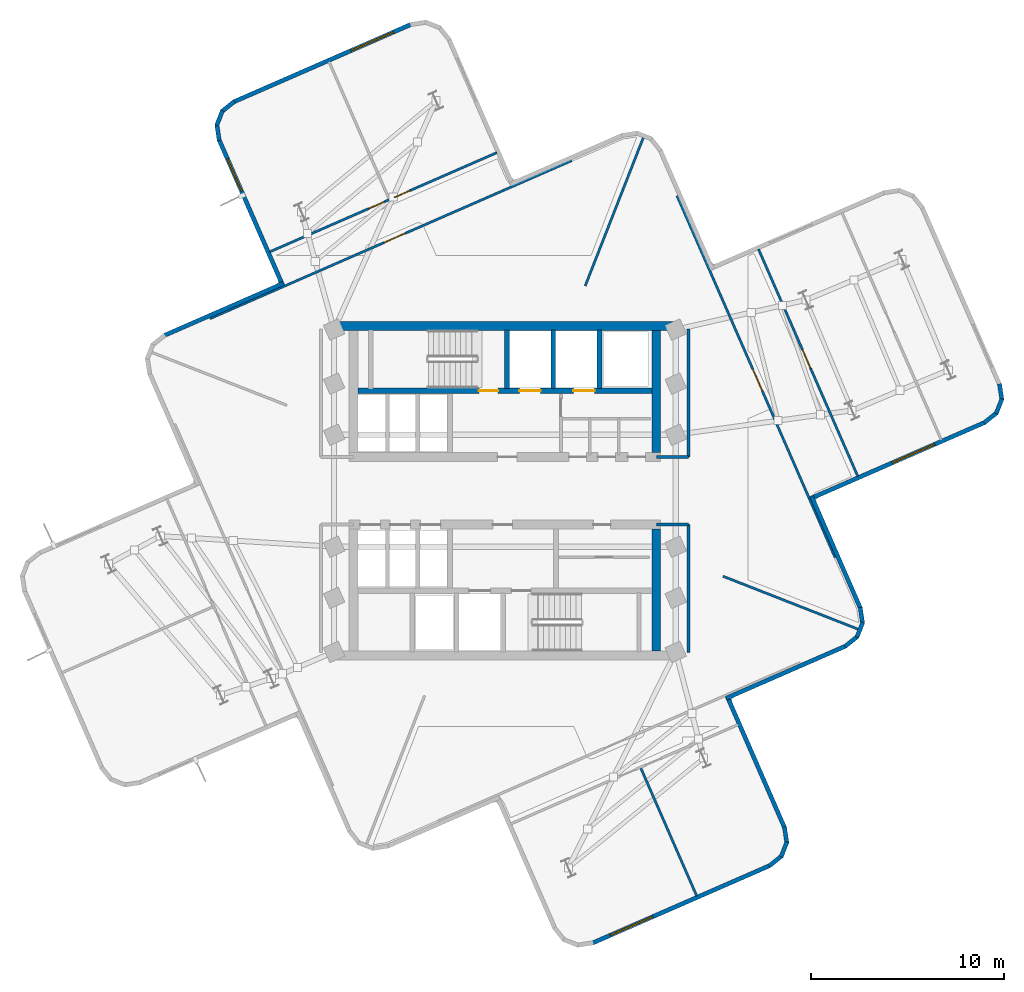
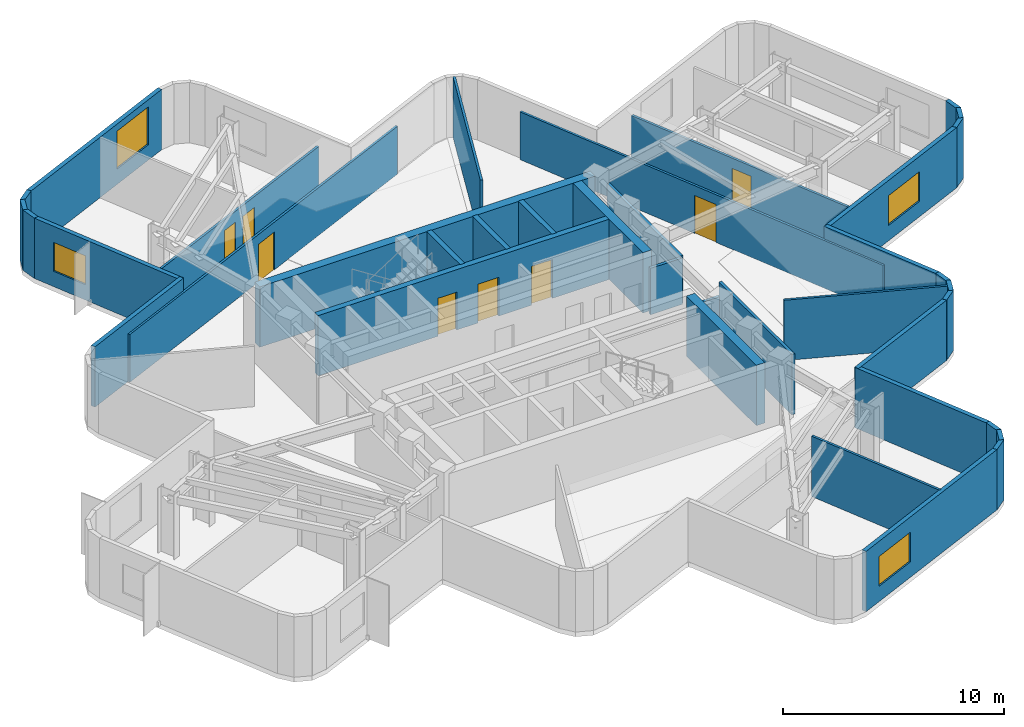
# One storey, part 4 of 8: 38 walls, 8 doors, 4 windows, 12 openings.
"""IFC4 building model written with IfcOpenShell, lengths in metres."""

from ifc_helpers import new_model, si_unit, direction, frame, frame_2d, origin, place, context, subcontext, project, spatial, rectangle, extrude, material, layer, layer_set, type_object, element, fill, save


model = new_model("IFC4")

# Units and contexts
model_context = context("Model", 3, precision=1e-05, world=origin(), true_north=direction((0.0, 1.0)))
body_context = subcontext(model_context, "Body", "Model", "MODEL_VIEW")
ifc_project = project(units=[si_unit("LENGTHUNIT", "METRE"), si_unit("AREAUNIT", "SQUARE_METRE"), si_unit("VOLUMEUNIT", "CUBIC_METRE"), si_unit("PLANEANGLEUNIT", "RADIAN"), si_unit("MASSUNIT", "GRAM", prefix="KILO")], contexts=[model_context])

# Site, building, storey
site_placement = place(None, origin())
site = spatial("IfcSite", under=ifc_project, at=site_placement, CompositionType="ELEMENT")
building_placement = place(site_placement, origin())
building = spatial("IfcBuilding", under=site, at=building_placement, Name="Solmarez Civic Tower", CompositionType="ELEMENT")
storey_placement = place(building_placement, frame((0.0, 0.0, 181.080078125)))
storey = spatial("IfcBuildingStorey", under=building, at=storey_placement, Name="L48", CompositionType="ELEMENT", Elevation=181.080078125)

# Walls
ifc_material_1 = material(Name="Concrete C50/60", Category="concrete")
ifc_layer_1 = layer(ifc_material_1, 0.449951171875)
ifc_layer_set_1 = layer_set([ifc_layer_1], Name="Concrete C50/60")
wall_type_1 = type_object("IfcWallType", Name="WALL-CORE-450", PredefinedType="SHEAR", material=ifc_layer_set_1)
wall_1_placement = place(storey_placement, frame((-8.780029296875, 8.534912109375, 0.0), z_axis=(0.0, 0.0, 1.0), x_axis=(1.0, 0.0, 0.0)))
element("IfcWall", 1, at=wall_1_placement, inside=storey, type_object=wall_type_1, Name="L48 Split-Core Structural Wall NCW-N-L48", PredefinedType="SHEAR", context=body_context, shape_type="SweptSolid", body=[
    extrude(rectangle(XDim=17.56005859375, YDim=0.449951171875, at=frame_2d((8.780029296875, 0.0))), origin(), (0.0, 0.0, 1.0), 3.33984375),
])
for number, where, z_axis, x_axis, name in (
    (2, (7.844970703125, 8.31005859375, 0.0), (0.0, 0.0, 1.0), (0.0, -1.0, 0.0), "L48 Split-Core Structural Wall NCW-E-L48"),
    (3, (7.844970703125, -1.97509765625, 0.0), (0.0, 0.0, 1.0), (0.0, -1.0, 0.0), "L48 Split-Core Structural Wall SCW-E-L48"),
):
    element("IfcWall", number, at=place(storey_placement, frame(where, z_axis=z_axis, x_axis=x_axis)), inside=storey, type_object=wall_type_1, Name=name, PredefinedType="SHEAR", context=body_context, shape_type="SweptSolid", body=[
        extrude(rectangle(XDim=6.3349609375, YDim=0.449951171875, at=frame_2d((3.16748046875, 0.0))), origin(), (0.0, 0.0, 1.0), 3.33984375),
    ])
ifc_material_2 = material(Name="Precast concrete C40/50", Category="concrete")
ifc_layer_2 = layer(ifc_material_2, 0.219970703125)
ifc_layer_set_2 = layer_set([ifc_layer_2], Name="Precast concrete C40/50")
wall_type_2 = type_object("IfcWallType", Name="WALL-EXT-220", PredefinedType="SOLIDWALL", material=ifc_layer_set_2)
wall_2_placement = place(storey_placement, frame((-17.657958984375, 8.0439453125, 0.0), z_axis=(0.0, 0.0, 1.0), x_axis=(0.916361145567, 0.400352658158, 0.0)))
element("IfcWall", 4, at=wall_2_placement, inside=storey, type_object=wall_type_2, Name="L48 Exterior Precast Wall 17", PredefinedType="SOLIDWALL", context=body_context, shape_type="SweptSolid", body=[
    extrude(rectangle(XDim=6.75927734375, YDim=0.219970703125, at=frame_2d((3.379638671875, 0.0))), origin(), (0.0, 0.0, 1.0), 3.33984375),
])

# Wall, opening, window
wall_3_placement = place(storey_placement, frame((-11.510009765625, 10.634033203125, 0.0), z_axis=(0.0, 0.0, 1.0), x_axis=(-0.400350381948, 0.916362140027, 0.0)))
wall_3 = element("IfcWall", 5, at=wall_3_placement, inside=storey, type_object=wall_type_2, Name="L48 Exterior Precast Wall 20", PredefinedType="SOLIDWALL", context=body_context, shape_type="SweptSolid", body=[
    extrude(rectangle(XDim=8.257568359375, YDim=0.219970703125, at=frame_2d((4.12890625, 0.0))), origin(), (0.0, 0.0, 1.0), 3.33984375),
])
opening_1_placement = place(wall_3_placement, frame((5.35791015625, 0.0, 0.85009765625)))
opening_1 = element("IfcOpeningElement", 6, at=opening_1_placement, cuts=wall_3, Name="Opening W-12", PredefinedType="OPENING", context=body_context, shape_type="SweptSolid", body=[
    extrude(rectangle(XDim=1.800048828125, YDim=1.60009765625, at=frame_2d((0.89990234375, 0.800048828125))), frame((0.0, 0.119873046875, 0.0), z_axis=(0.0, -1.0, 0.0), x_axis=(1.0, 0.0, 0.0)), (0.0, 0.0, 1.0), 0.239990234375),
])
ifc_material_3 = material(Name="Solar Control Bronze-Tinted Insulating Glass", Category="glass")
window_type_1 = type_object("IfcWindowType", Name="WIN-1800X1600", PartitioningType="SINGLE_PANEL", PredefinedType="WINDOW", material=ifc_material_3)
window_1_placement = place(opening_1_placement, origin())
window_1 = element("IfcWindow", 7, at=window_1_placement, inside=storey, type_object=window_type_1, Name="L48 Exterior Facade Window 20", OverallHeight=1.60009765625, OverallWidth=1.800048828125, PartitioningType="SINGLE_PANEL", PredefinedType="WINDOW", context=body_context, shape_type="SweptSolid", body=[
    extrude(rectangle(XDim=1.800048828125, YDim=1.60009765625, at=frame_2d((0.89990234375, 0.800048828125))), frame((0.0, 0.030029296875, 0.0), z_axis=(0.0, -1.0, 0.0), x_axis=(1.0, 0.0, 0.0)), (0.0, 0.0, 1.0), 0.06005859375),
])
fill(opening_1, window_1)

# Walls
wall_4_placement = place(storey_placement, frame((-14.802001953125, 18.153076171875, 0.0), z_axis=(0.0, 0.0, 1.0), x_axis=(-0.149640878591, 0.988740414596, 0.0)))
element("IfcWall", 8, at=wall_4_placement, inside=storey, type_object=wall_type_2, Name="L48 Exterior Precast Wall 21", PredefinedType="SOLIDWALL", context=body_context, shape_type="SweptSolid", body=[
    extrude(rectangle(XDim=0.83544921875, YDim=0.219970703125, at=frame_2d((0.417724609375, 0.0))), origin(), (0.0, 0.0, 1.0), 3.33984375),
])
wall_5_placement = place(storey_placement, frame((-14.931884765625, 18.930908203125, 0.0), z_axis=(0.0, 0.0, 1.0), x_axis=(0.36397185601, 0.931409946282, 0.0)))
element("IfcWall", 9, at=wall_5_placement, inside=storey, type_object=wall_type_2, Name="L48 Exterior Precast Wall 22", PredefinedType="SOLIDWALL", context=body_context, shape_type="SweptSolid", body=[
    extrude(rectangle(XDim=0.818359375, YDim=0.219970703125, at=frame_2d((0.4091796875, 0.0))), origin(), (0.0, 0.0, 1.0), 3.33984375),
])
wall_6_placement = place(storey_placement, frame((-14.6630859375, 19.654052734375, 0.0), z_axis=(0.0, 0.0, 1.0), x_axis=(0.781723393747, 0.623625316731, 0.0)))
element("IfcWall", 10, at=wall_6_placement, inside=storey, type_object=wall_type_2, Name="L48 Exterior Precast Wall 23", PredefinedType="SOLIDWALL", context=body_context, shape_type="SweptSolid", body=[
    extrude(rectangle(XDim=0.83544921875, YDim=0.219970703125, at=frame_2d((0.417724609375, 0.0))), origin(), (0.0, 0.0, 1.0), 3.33984375),
])

# Wall, opening, window
wall_7_placement = place(storey_placement, frame((-14.052978515625, 20.14892578125, 0.0), z_axis=(0.0, 0.0, 1.0), x_axis=(0.916369802617, 0.400332842585, 0.0)))
wall_7 = element("IfcWall", 11, at=wall_7_placement, inside=storey, type_object=wall_type_2, Name="L48 Exterior Precast Wall 24", PredefinedType="SOLIDWALL", context=body_context, shape_type="SweptSolid", body=[
    extrude(rectangle(XDim=10.041748046875, YDim=0.219970703125, at=frame_2d((5.02099609375, 0.0))), origin(), (0.0, 0.0, 1.0), 3.33984375),
])
opening_2_placement = place(wall_7_placement, frame((6.633056640625, 0.0, 0.85009765625)))
opening_2 = element("IfcOpeningElement", 12, at=opening_2_placement, cuts=wall_7, Name="Opening W-02", PredefinedType="OPENING", context=body_context, shape_type="SweptSolid", body=[
    extrude(rectangle(XDim=2.39990234375, YDim=2.10009765625, at=frame_2d((1.199951171875, 1.050048828125))), frame((0.0, 0.119873046875, 0.0), z_axis=(0.0, -1.0, 0.0), x_axis=(1.0, 0.0, 0.0)), (0.0, 0.0, 1.0), 0.239990234375),
])
window_type_2 = type_object("IfcWindowType", Name="WIN-2400X2100", PartitioningType="SINGLE_PANEL", PredefinedType="WINDOW", material=ifc_material_3)
window_2_placement = place(opening_2_placement, origin())
window_2 = element("IfcWindow", 13, at=window_2_placement, inside=storey, type_object=window_type_2, Name="L48 Exterior Facade Window 24", OverallHeight=2.10009765625, OverallWidth=2.39990234375, PartitioningType="SINGLE_PANEL", PredefinedType="WINDOW", context=body_context, shape_type="SweptSolid", body=[
    extrude(rectangle(XDim=2.39990234375, YDim=2.10009765625, at=frame_2d((1.199951171875, 1.050048828125))), frame((0.0, 0.030029296875, 0.0), z_axis=(0.0, -1.0, 0.0), x_axis=(1.0, 0.0, 0.0)), (0.0, 0.0, 1.0), 0.06005859375),
])
fill(opening_2, window_2)

# Walls
wall_8_placement = place(storey_placement, frame((25.62109375, 5.5400390625, 0.0), z_axis=(0.0, 0.0, 1.0), x_axis=(0.150783469095, -0.988566813851, 0.0)))
element("IfcWall", 14, at=wall_8_placement, inside=storey, type_object=wall_type_2, Name="L48 Exterior Precast Wall 43", PredefinedType="SOLIDWALL", context=body_context, shape_type="SweptSolid", body=[
    extrude(rectangle(XDim=0.83544921875, YDim=0.219970703125, at=frame_2d((0.417724609375, 0.0))), origin(), (0.0, 0.0, 1.0), 3.33984375),
])
wall_9_placement = place(storey_placement, frame((25.751953125, 4.761962890625, 0.0), z_axis=(0.0, 0.0, 1.0), x_axis=(-0.365366290938, -0.93086383185, 0.0)))
element("IfcWall", 15, at=wall_9_placement, inside=storey, type_object=wall_type_2, Name="L48 Exterior Precast Wall 44", PredefinedType="SOLIDWALL", context=body_context, shape_type="SweptSolid", body=[
    extrude(rectangle(XDim=0.818603515625, YDim=0.219970703125, at=frame_2d((0.4091796875, 0.0))), origin(), (0.0, 0.0, 1.0), 3.33984375),
])
wall_10_placement = place(storey_placement, frame((25.48193359375, 4.0390625, 0.0), z_axis=(0.0, 0.0, 1.0), x_axis=(-0.781609702867, -0.62376780326, 0.0)))
element("IfcWall", 16, at=wall_10_placement, inside=storey, type_object=wall_type_2, Name="L48 Exterior Precast Wall 45", PredefinedType="SOLIDWALL", context=body_context, shape_type="SweptSolid", body=[
    extrude(rectangle(XDim=0.835205078125, YDim=0.219970703125, at=frame_2d((0.41748046875, 0.0))), origin(), (0.0, 0.0, 1.0), 3.33984375),
])

# Wall, opening, window
wall_11_placement = place(storey_placement, frame((24.8720703125, 3.5439453125, 0.0), z_axis=(0.0, 0.0, 1.0), x_axis=(-0.916375425493, -0.400319971464, 0.0)))
wall_11 = element("IfcWall", 17, at=wall_11_placement, inside=storey, type_object=wall_type_2, Name="L48 Exterior Precast Wall 46", PredefinedType="SOLIDWALL", context=body_context, shape_type="SweptSolid", body=[
    extrude(rectangle(XDim=9.859619140625, YDim=0.219970703125, at=frame_2d((4.9296875, 0.0))), origin(), (0.0, 0.0, 1.0), 3.33984375),
])
opening_3_placement = place(wall_11_placement, frame((2.85009765625, 0.0, 0.85009765625)))
opening_3 = element("IfcOpeningElement", 18, at=opening_3_placement, cuts=wall_11, Name="Opening W-10", PredefinedType="OPENING", context=body_context, shape_type="SweptSolid", body=[
    extrude(rectangle(XDim=2.39990234375, YDim=1.64990234375, at=frame_2d((1.199951171875, 0.824951171875))), frame((0.0, 0.119873046875, 0.0), z_axis=(0.0, -1.0, 0.0), x_axis=(1.0, 0.0, 0.0)), (0.0, 0.0, 1.0), 0.239990234375),
])
window_type_3 = type_object("IfcWindowType", Name="WIN-2400X1650", PartitioningType="SINGLE_PANEL", PredefinedType="WINDOW", material=ifc_material_3)
window_3_placement = place(opening_3_placement, origin())
window_3 = element("IfcWindow", 19, at=window_3_placement, inside=storey, type_object=window_type_3, Name="L48 Exterior Facade Window 46", OverallHeight=1.64990234375, OverallWidth=2.39990234375, PartitioningType="SINGLE_PANEL", PredefinedType="WINDOW", context=body_context, shape_type="SweptSolid", body=[
    extrude(rectangle(XDim=2.39990234375, YDim=1.64990234375, at=frame_2d((1.199951171875, 0.824951171875))), frame((0.0, 0.030029296875, 0.0), z_axis=(0.0, -1.0, 0.0), x_axis=(1.0, 0.0, 0.0)), (0.0, 0.0, 1.0), 0.06005859375),
])
fill(opening_3, window_3)

# Walls
wall_12_placement = place(storey_placement, frame((15.883056640625, -0.287109375, 0.0), z_axis=(0.0, 0.0, 1.0), x_axis=(0.400352069216, -0.916361402872, 0.0)))
element("IfcWall", 20, at=wall_12_placement, inside=storey, type_object=wall_type_2, Name="L48 Exterior Precast Wall 49", PredefinedType="SOLIDWALL", context=body_context, shape_type="SweptSolid", body=[
    extrude(rectangle(XDim=6.339111328125, YDim=0.219970703125, at=frame_2d((3.16943359375, 0.0))), origin(), (0.0, 0.0, 1.0), 3.33984375),
])
wall_13_placement = place(storey_placement, frame((18.406982421875, -6.048095703125, 0.0), z_axis=(0.0, 0.0, 1.0), x_axis=(0.149814047271, -0.988714190876, 0.0)))
element("IfcWall", 21, at=wall_13_placement, inside=storey, type_object=wall_type_2, Name="L48 Exterior Precast Wall 50", PredefinedType="SOLIDWALL", context=body_context, shape_type="SweptSolid", body=[
    extrude(rectangle(XDim=0.83447265625, YDim=0.219970703125, at=frame_2d((0.417236328125, 0.0))), origin(), (0.0, 0.0, 1.0), 3.33984375),
])
wall_14_placement = place(storey_placement, frame((18.537109375, -6.824951171875, 0.0), z_axis=(0.0, 0.0, 1.0), x_axis=(-0.364331843435, -0.931269191941, 0.0)))
element("IfcWall", 22, at=wall_14_placement, inside=storey, type_object=wall_type_2, Name="L48 Exterior Precast Wall 51", PredefinedType="SOLIDWALL", context=body_context, shape_type="SweptSolid", body=[
    extrude(rectangle(XDim=0.818115234375, YDim=0.219970703125, at=frame_2d((0.4091796875, 0.0))), origin(), (0.0, 0.0, 1.0), 3.33984375),
])
wall_15_placement = place(storey_placement, frame((18.26806640625, -7.548095703125, 0.0), z_axis=(0.0, 0.0, 1.0), x_axis=(-0.781153625844, -0.624338860581, 0.0)))
element("IfcWall", 23, at=wall_15_placement, inside=storey, type_object=wall_type_2, Name="L48 Exterior Precast Wall 52", PredefinedType="SOLIDWALL", context=body_context, shape_type="SweptSolid", body=[
    extrude(rectangle(XDim=0.8359375, YDim=0.219970703125, at=frame_2d((0.41796875, 0.0))), origin(), (0.0, 0.0, 1.0), 3.33984375),
])
wall_16_placement = place(storey_placement, frame((17.657958984375, -8.0439453125, 0.0), z_axis=(0.0, 0.0, 1.0), x_axis=(-0.916361145567, -0.400352658158, 0.0)))
element("IfcWall", 24, at=wall_16_placement, inside=storey, type_object=wall_type_2, Name="L48 Exterior Precast Wall 53", PredefinedType="SOLIDWALL", context=body_context, shape_type="SweptSolid", body=[
    extrude(rectangle(XDim=6.75927734375, YDim=0.219970703125, at=frame_2d((3.379638671875, 0.0))), origin(), (0.0, 0.0, 1.0), 3.33984375),
])
wall_17_placement = place(storey_placement, frame((11.510009765625, -10.634033203125, 0.0), z_axis=(0.0, 0.0, 1.0), x_axis=(0.400392901903, -0.916343562266, 0.0)))
element("IfcWall", 25, at=wall_17_placement, inside=storey, type_object=wall_type_2, Name="L48 Exterior Precast Wall 56", PredefinedType="SOLIDWALL", context=body_context, shape_type="SweptSolid", body=[
    extrude(rectangle(XDim=7.457763671875, YDim=0.219970703125, at=frame_2d((3.72900390625, 0.0))), origin(), (0.0, 0.0, 1.0), 3.33984375),
])
wall_18_placement = place(storey_placement, frame((14.48193359375, -17.419921875, 0.0), z_axis=(0.0, 0.0, 1.0), x_axis=(0.149597648238, -0.988746956325, 0.0)))
element("IfcWall", 26, at=wall_18_placement, inside=storey, type_object=wall_type_2, Name="L48 Exterior Precast Wall 57", PredefinedType="SOLIDWALL", context=body_context, shape_type="SweptSolid", body=[
    extrude(rectangle(XDim=0.835693359375, YDim=0.219970703125, at=frame_2d((0.41796875, 0.0))), origin(), (0.0, 0.0, 1.0), 3.33984375),
])
wall_19_placement = place(storey_placement, frame((14.612060546875, -18.197998046875, 0.0), z_axis=(0.0, 0.0, 1.0), x_axis=(-0.365366290938, -0.93086383185, 0.0)))
element("IfcWall", 27, at=wall_19_placement, inside=storey, type_object=wall_type_2, Name="L48 Exterior Precast Wall 58", PredefinedType="SOLIDWALL", context=body_context, shape_type="SweptSolid", body=[
    extrude(rectangle(XDim=0.818603515625, YDim=0.219970703125, at=frame_2d((0.4091796875, 0.0))), origin(), (0.0, 0.0, 1.0), 3.33984375),
])
wall_20_placement = place(storey_placement, frame((14.342041015625, -18.9208984375, 0.0), z_axis=(0.0, 0.0, 1.0), x_axis=(-0.781723393747, -0.623625316731, 0.0)))
element("IfcWall", 28, at=wall_20_placement, inside=storey, type_object=wall_type_2, Name="L48 Exterior Precast Wall 59", PredefinedType="SOLIDWALL", context=body_context, shape_type="SweptSolid", body=[
    extrude(rectangle(XDim=0.83544921875, YDim=0.219970703125, at=frame_2d((0.417724609375, 0.0))), origin(), (0.0, 0.0, 1.0), 3.33984375),
])

# Wall, opening, window
wall_21_placement = place(storey_placement, frame((13.73193359375, -19.416015625, 0.0), z_axis=(0.0, 0.0, 1.0), x_axis=(-0.916354214502, -0.400368522196, 0.0)))
wall_21 = element("IfcWall", 29, at=wall_21_placement, inside=storey, type_object=wall_type_2, Name="L48 Exterior Precast Wall 60", PredefinedType="SOLIDWALL", context=body_context, shape_type="SweptSolid", body=[
    extrude(rectangle(XDim=10.040771484375, YDim=0.219970703125, at=frame_2d((5.0205078125, 0.0))), origin(), (0.0, 0.0, 1.0), 3.33984375),
])
opening_4_placement = place(wall_21_placement, frame((6.632080078125, 0.0, 0.85009765625)))
opening_4 = element("IfcOpeningElement", 30, at=opening_4_placement, cuts=wall_21, Name="Opening W-10", PredefinedType="OPENING", context=body_context, shape_type="SweptSolid", body=[
    extrude(rectangle(XDim=2.39990234375, YDim=1.64990234375, at=frame_2d((1.199951171875, 0.824951171875))), frame((0.0, 0.119873046875, 0.0), z_axis=(0.0, -1.0, 0.0), x_axis=(1.0, 0.0, 0.0)), (0.0, 0.0, 1.0), 0.239990234375),
])
window_4_placement = place(opening_4_placement, origin())
window_4 = element("IfcWindow", 31, at=window_4_placement, inside=storey, type_object=window_type_3, Name="L48 Exterior Facade Window 60", OverallHeight=1.64990234375, OverallWidth=2.39990234375, PartitioningType="SINGLE_PANEL", PredefinedType="WINDOW", context=body_context, shape_type="SweptSolid", body=[
    extrude(rectangle(XDim=2.39990234375, YDim=1.64990234375, at=frame_2d((1.199951171875, 0.824951171875))), frame((0.0, 0.030029296875, 0.0), z_axis=(0.0, -1.0, 0.0), x_axis=(1.0, 0.0, 0.0)), (0.0, 0.0, 1.0), 0.06005859375),
])
fill(opening_4, window_4)

# Walls
ifc_material_4 = material(Name="Gypsum Board Acoustic Steel-Stud Partition", Category="steel")
ifc_layer_3 = layer(ifc_material_4, 0.14990234375)
ifc_layer_set_3 = layer_set([ifc_layer_3], Name="Gypsum Board Acoustic Steel-Stud Partition")
wall_type_3 = type_object("IfcWallType", Name="WALL-INT-FIRE-150", PredefinedType="PARTITIONING", material=ifc_layer_set_3)
wall_22_placement = place(storey_placement, frame((9.52001953125, 1.75, 0.0), z_axis=(0.0, 0.0, 1.0), x_axis=(0.0, 1.0, 0.0)))
element("IfcWall", 32, at=wall_22_placement, inside=storey, type_object=wall_type_3, Name="L48 Interior Partition CHW-L48-EN1", PredefinedType="PARTITIONING", context=body_context, shape_type="SweptSolid", body=[
    extrude(rectangle(XDim=6.6298828125, YDim=0.14990234375, at=frame_2d((3.31494140625, 0.0))), origin(), (0.0, 0.0, 1.0), 2.64404296875),
])
wall_23_placement = place(storey_placement, frame((7.85009765625, 1.75, 0.0), z_axis=(0.0, 0.0, 1.0), x_axis=(1.0, 0.0, 0.0)))
element("IfcWall", 33, at=wall_23_placement, inside=storey, type_object=wall_type_3, Name="L48 Interior Partition CHW-L48-EN3", PredefinedType="PARTITIONING", context=body_context, shape_type="SweptSolid", body=[
    extrude(rectangle(XDim=1.669921875, YDim=0.14990234375, at=frame_2d((0.8349609375, 0.0))), origin(), (0.0, 0.0, 1.0), 2.56982421875),
])
wall_24_placement = place(storey_placement, frame((9.52001953125, -8.3798828125, 0.0), z_axis=(0.0, 0.0, 1.0), x_axis=(0.0, 1.0, 0.0)))
element("IfcWall", 34, at=wall_24_placement, inside=storey, type_object=wall_type_3, Name="L48 Interior Partition CHW-L48-ES1", PredefinedType="PARTITIONING", context=body_context, shape_type="SweptSolid", body=[
    extrude(rectangle(XDim=6.6298828125, YDim=0.14990234375, at=frame_2d((3.31494140625, 0.0))), origin(), (0.0, 0.0, 1.0), 3.33984375),
])
wall_25_placement = place(storey_placement, frame((7.85009765625, -1.75, 0.0), z_axis=(0.0, 0.0, 1.0), x_axis=(1.0, 0.0, 0.0)))
element("IfcWall", 35, at=wall_25_placement, inside=storey, type_object=wall_type_3, Name="L48 Interior Partition CHW-L48-ES3", PredefinedType="PARTITIONING", context=body_context, shape_type="SweptSolid", body=[
    extrude(rectangle(XDim=1.669921875, YDim=0.14990234375, at=frame_2d((0.8349609375, 0.0))), origin(), (0.0, 0.0, 1.0), 2.56982421875),
])
ifc_layer_4 = layer(ifc_material_4, 0.1201171875)
ifc_layer_set_4 = layer_set([ifc_layer_4], Name="Gypsum Board Acoustic Steel-Stud Partition")
wall_type_4 = type_object("IfcWallType", Name="WALL-INT-PART-120", PredefinedType="PARTITIONING", material=ifc_layer_set_4)
wall_26_placement = place(storey_placement, frame((4.159912109375, 10.614013671875, 0.0), z_axis=(0.0, 0.0, 1.0), x_axis=(0.364859873544, 0.931062442953, 0.0)))
element("IfcWall", 36, at=wall_26_placement, inside=storey, type_object=wall_type_4, Name="L48 Interior Partition PT-L48-QDIV-1", PredefinedType="PARTITIONING", context=body_context, shape_type="SweptSolid", body=[
    extrude(rectangle(XDim=8.2744140625, YDim=0.1201171875, at=frame_2d((4.13720703125, 0.0))), origin(), (0.0, 0.0, 1.0), 3.33984375),
])
wall_27_placement = place(storey_placement, frame((11.300048828125, -4.428955078125, 0.0), z_axis=(0.0, 0.0, 1.0), x_axis=(0.931071596241, -0.364836514995, 0.0)))
element("IfcWall", 37, at=wall_27_placement, inside=storey, type_object=wall_type_4, Name="L48 Interior Partition PT-L48-QDIV-4", PredefinedType="PARTITIONING", context=body_context, shape_type="SweptSolid", body=[
    extrude(rectangle(XDim=7.53759765625, YDim=0.1201171875, at=frame_2d((3.768798828125, 0.0))), origin(), (0.0, 0.0, 1.0), 3.33984375),
])

# Wall, opening, door
wall_28_placement = place(storey_placement, frame((8.9150390625, 15.2880859375, 0.0), z_axis=(0.0, 0.0, 1.0), x_axis=(0.400335531383, -0.916368627962, 0.0)))
wall_28 = element("IfcWall", 38, at=wall_28_placement, inside=storey, type_object=wall_type_4, Name="L48 Interior Partition PT-L48-E-ENT", PredefinedType="PARTITIONING", context=body_context, shape_type="SweptSolid", body=[
    extrude(rectangle(XDim=20.460205078125, YDim=0.1201171875, at=frame_2d((10.22998046875, 0.0))), origin(), (0.0, 0.0, 1.0), 2.64404296875),
])
opening_5_placement = place(wall_28_placement, frame((9.840087890625, 0.0, 0.0)))
opening_5 = element("IfcOpeningElement", 39, at=opening_5_placement, cuts=wall_28, Name="Opening D-11", PredefinedType="OPENING", context=body_context, shape_type="SweptSolid", body=[
    extrude(rectangle(XDim=1.199951171875, YDim=2.10009765625, at=frame_2d((0.60009765625, 1.050048828125))), frame((0.0, 0.070068359375, 0.0), z_axis=(0.0, -1.0, 0.0), x_axis=(1.0, 0.0, 0.0)), (0.0, 0.0, 1.0), 0.14013671875),
])
ifc_material_5 = material(Name="Glazed-Vision Acoustic Chamber Door", Category="wood")
door_type_1 = type_object("IfcDoorType", Name="DOOR-INT-1200", OperationType="NOTDEFINED", PredefinedType="DOOR", material=ifc_material_5)
door_1_placement = place(opening_5_placement, origin())
door_1 = element("IfcDoor", 40, at=door_1_placement, inside=storey, type_object=door_type_1, Name="L48 Tribunal Chamber Executive Boardroom First East Door", OperationType="SINGLE_SWING_LEFT", OverallHeight=2.10009765625, OverallWidth=1.199951171875, PredefinedType="DOOR", context=body_context, shape_type="SweptSolid", body=[
    extrude(rectangle(XDim=1.199951171875, YDim=2.10009765625, at=frame_2d((0.60009765625, 1.050048828125))), frame((0.0, 0.02490234375, 0.0), z_axis=(0.0, -1.0, 0.0), x_axis=(1.0, 0.0, 0.0)), (0.0, 0.0, 1.0), 0.050048828125),
])
fill(opening_5, door_1)

wall_29_placement = place(storey_placement, frame((13.135986328125, 12.52099609375, 0.0), z_axis=(0.0, 0.0, 1.0), x_axis=(0.400394200209, -0.916342994974, 0.0)))
wall_29 = element("IfcWall", 41, at=wall_29_placement, inside=storey, type_object=wall_type_4, Name="L48 Interior Partition PT-L48-E-SC1", PredefinedType="PARTITIONING", context=body_context, shape_type="SweptSolid", body=[
    extrude(rectangle(XDim=12.849853515625, YDim=0.1201171875, at=frame_2d((6.4248046875, 0.0))), origin(), (0.0, 0.0, 1.0), 2.64404296875),
])
opening_6_placement = place(wall_29_placement, frame((5.68994140625, 0.0, 0.0)))
opening_6 = element("IfcOpeningElement", 42, at=opening_6_placement, cuts=wall_29, Name="Opening D-13", PredefinedType="OPENING", context=body_context, shape_type="SweptSolid", body=[
    extrude(rectangle(XDim=1.050048828125, YDim=2.080078125, at=frame_2d((0.52490234375, 1.0400390625))), frame((0.0, 0.070068359375, 0.0), z_axis=(0.0, -1.0, 0.0), x_axis=(1.0, 0.0, 0.0)), (0.0, 0.0, 1.0), 0.14013671875),
])
ifc_material_6 = material(Name="Timber Directorate Office Door", Category="wood")
door_type_2 = type_object("IfcDoorType", Name="DOOR-INT-1050", OperationType="NOTDEFINED", PredefinedType="DOOR", material=ifc_material_6)
door_2_placement = place(opening_6_placement, origin())
door_2 = element("IfcDoor", 43, at=door_2_placement, inside=storey, type_object=door_type_2, Name="L48 Diplomatic Sitting Lounge East Door", OperationType="SINGLE_SWING_LEFT", OverallHeight=2.080078125, OverallWidth=1.050048828125, PredefinedType="DOOR", context=body_context, shape_type="SweptSolid", body=[
    extrude(rectangle(XDim=1.050048828125, YDim=2.080078125, at=frame_2d((0.52490234375, 1.0400390625))), frame((0.0, 0.02490234375, 0.0), z_axis=(0.0, -1.0, 0.0), x_axis=(1.0, 0.0, 0.0)), (0.0, 0.0, 1.0), 0.050048828125),
])
fill(opening_6, door_2)

wall_30_placement = place(storey_placement, frame((-15.2880859375, 8.9150390625, 0.0), z_axis=(0.0, 0.0, 1.0), x_axis=(0.916368627962, 0.400335531383, 0.0)))
wall_30 = element("IfcWall", 44, at=wall_30_placement, inside=storey, type_object=wall_type_4, Name="L48 Interior Partition PT-L48-N-ENT", PredefinedType="PARTITIONING", context=body_context, shape_type="SweptSolid", body=[
    extrude(rectangle(XDim=20.460205078125, YDim=0.1201171875, at=frame_2d((10.22998046875, 0.0))), origin(), (0.0, 0.0, 1.0), 2.64404296875),
])
opening_7_placement = place(wall_30_placement, frame((9.840087890625, 0.0, 0.0)))
opening_7 = element("IfcOpeningElement", 45, at=opening_7_placement, cuts=wall_30, Name="Opening D-11", PredefinedType="OPENING", context=body_context, shape_type="SweptSolid", body=[
    extrude(rectangle(XDim=1.199951171875, YDim=2.10009765625, at=frame_2d((0.60009765625, 1.050048828125))), frame((0.0, 0.070068359375, 0.0), z_axis=(0.0, -1.0, 0.0), x_axis=(1.0, 0.0, 0.0)), (0.0, 0.0, 1.0), 0.14013671875),
])
door_3_placement = place(opening_7_placement, origin())
door_3 = element("IfcDoor", 46, at=door_3_placement, inside=storey, type_object=door_type_1, Name="L48 Diplomatic Sitting Lounge First North Door", OperationType="SINGLE_SWING_LEFT", OverallHeight=2.10009765625, OverallWidth=1.199951171875, PredefinedType="DOOR", context=body_context, shape_type="SweptSolid", body=[
    extrude(rectangle(XDim=1.199951171875, YDim=2.10009765625, at=frame_2d((0.60009765625, 1.050048828125))), frame((0.0, 0.02490234375, 0.0), z_axis=(0.0, -1.0, 0.0), x_axis=(1.0, 0.0, 0.0)), (0.0, 0.0, 1.0), 0.050048828125),
])
fill(opening_7, door_3)

# Wall, openings, doors
wall_31_placement = place(storey_placement, frame((-0.4140625, 17.52001953125, 0.0), z_axis=(0.0, 0.0, 1.0), x_axis=(-0.916370877059, -0.400330383156, 0.0)))
wall_31 = element("IfcWall", 47, at=wall_31_placement, inside=storey, type_object=wall_type_4, Name="L48 Interior Partition PT-L48-N-SCUT", PredefinedType="PARTITIONING", context=body_context, shape_type="SweptSolid", body=[
    extrude(rectangle(XDim=12.849609375, YDim=0.1201171875, at=frame_2d((6.4248046875, 0.0))), origin(), (0.0, 0.0, 1.0), 2.64404296875),
])
opening_8_placement = place(wall_31_placement, frame((4.93505859375, 0.0, 0.0)))
opening_8 = element("IfcOpeningElement", 48, at=opening_8_placement, cuts=wall_31, Name="Opening D-14", PredefinedType="OPENING", context=body_context, shape_type="SweptSolid", body=[
    extrude(rectangle(XDim=0.860107421875, YDim=2.0400390625, at=frame_2d((0.43017578125, 1.02001953125))), frame((0.0, 0.070068359375, 0.0), z_axis=(0.0, -1.0, 0.0), x_axis=(1.0, 0.0, 0.0)), (0.0, 0.0, 1.0), 0.14013671875),
])
opening_9_placement = place(wall_31_placement, frame((6.375, 0.0, 0.0)))
opening_9 = element("IfcOpeningElement", 49, at=opening_9_placement, cuts=wall_31, Name="Opening D-14", PredefinedType="OPENING", context=body_context, shape_type="SweptSolid", body=[
    extrude(rectangle(XDim=0.860107421875, YDim=2.0400390625, at=frame_2d((0.43017578125, 1.02001953125))), frame((0.0, 0.070068359375, 0.0), z_axis=(0.0, -1.0, 0.0), x_axis=(1.0, 0.0, 0.0)), (0.0, 0.0, 1.0), 0.14013671875),
])
ifc_material_7 = material(Name="Timber Storage and Pantry Door", Category="wood")
door_type_3 = type_object("IfcDoorType", Name="DOOR-INT-850", OperationType="NOTDEFINED", PredefinedType="DOOR", material=ifc_material_7)
door_4_placement = place(opening_8_placement, origin())
door_4 = element("IfcDoor", 50, at=door_4_placement, inside=storey, type_object=door_type_3, Name="L48 Security Control Room Third North Door", OperationType="SINGLE_SWING_RIGHT", OverallHeight=2.0400390625, OverallWidth=0.860107421875, PredefinedType="DOOR", context=body_context, shape_type="SweptSolid", body=[
    extrude(rectangle(XDim=0.860107421875, YDim=2.0400390625, at=frame_2d((0.43017578125, 1.02001953125))), frame((0.0, 0.02490234375, 0.0), z_axis=(0.0, -1.0, 0.0), x_axis=(1.0, 0.0, 0.0)), (0.0, 0.0, 1.0), 0.050048828125),
])
fill(opening_8, door_4)
door_5_placement = place(opening_9_placement, origin())
door_5 = element("IfcDoor", 51, at=door_5_placement, inside=storey, type_object=door_type_3, Name="L48 Protocol Reception Room Second North Door", OperationType="SINGLE_SWING_LEFT", OverallHeight=2.0400390625, OverallWidth=0.860107421875, PredefinedType="DOOR", context=body_context, shape_type="SweptSolid", body=[
    extrude(rectangle(XDim=0.860107421875, YDim=2.0400390625, at=frame_2d((0.43017578125, 1.02001953125))), frame((0.0, 0.02490234375, 0.0), z_axis=(0.0, -1.0, 0.0), x_axis=(1.0, 0.0, 0.0)), (0.0, 0.0, 1.0), 0.050048828125),
])
fill(opening_9, door_5)

# Wall
wall_32_placement = place(storey_placement, frame((7.047119140625, -14.382080078125, 0.0), z_axis=(0.0, 0.0, 1.0), x_axis=(0.400431798825, -0.916326565417, 0.0)))
element("IfcWall", 52, at=wall_32_placement, inside=storey, type_object=wall_type_4, Name="L48 Interior Partition PT-L48-S-TM3", PredefinedType="PARTITIONING", context=body_context, shape_type="SweptSolid", body=[
    extrude(rectangle(XDim=7.214599609375, YDim=0.1201171875, at=frame_2d((3.607421875, 0.0))), origin(), (0.0, 0.0, 1.0), 3.33984375),
])

# Wall, openings, doors
ifc_layer_5 = layer(ifc_material_1, 0.300048828125)
ifc_layer_set_5 = layer_set([ifc_layer_5], Name="Concrete C50/60")
wall_type_5 = type_object("IfcWallType", Name="WALL-STR-300", PredefinedType="SOLIDWALL", material=ifc_layer_set_5)
wall_33_placement = place(storey_placement, frame((7.6201171875, 5.179931640625, 0.0), z_axis=(0.0, 0.0, 1.0), x_axis=(-1.0, 0.0, 0.0)))
wall_33 = element("IfcWall", 53, at=wall_33_placement, inside=storey, type_object=wall_type_5, Name="L48 Split-Core Structural Wall NCW-M-L48", PredefinedType="SOLIDWALL", context=body_context, shape_type="SweptSolid", body=[
    extrude(rectangle(XDim=15.240234375, YDim=0.300048828125, at=frame_2d((7.6201171875, 0.0))), origin(), (0.0, 0.0, 1.0), 3.33984375),
])
opening_10_placement = place(wall_33_placement, frame((5.77001953125, 0.0, 0.0)))
opening_10 = element("IfcOpeningElement", 54, at=opening_10_placement, cuts=wall_33, Name="Opening LD-02", PredefinedType="OPENING", context=body_context, shape_type="SweptSolid", body=[
    extrude(rectangle(XDim=1.10009765625, YDim=2.14990234375, at=frame_2d((0.550048828125, 1.074951171875))), frame((0.0, 0.159912109375, 0.0), z_axis=(0.0, -1.0, 0.0), x_axis=(1.0, 0.0, 0.0)), (0.0, 0.0, 1.0), 0.320068359375),
])
opening_11_placement = place(wall_33_placement, frame((2.969970703125, 0.0, 0.0)))
opening_11 = element("IfcOpeningElement", 55, at=opening_11_placement, cuts=wall_33, Name="Opening LD-03", PredefinedType="OPENING", context=body_context, shape_type="SweptSolid", body=[
    extrude(rectangle(XDim=1.10009765625, YDim=2.14990234375, at=frame_2d((0.550048828125, 1.074951171875))), frame((0.0, 0.159912109375, 0.0), z_axis=(0.0, -1.0, 0.0), x_axis=(1.0, 0.0, 0.0)), (0.0, 0.0, 1.0), 0.320068359375),
])
opening_12_placement = place(wall_33_placement, frame((7.969970703125, 0.0, 0.0)))
opening_12 = element("IfcOpeningElement", 56, at=opening_12_placement, cuts=wall_33, Name="Opening D-05", PredefinedType="OPENING", context=body_context, shape_type="SweptSolid", body=[
    extrude(rectangle(XDim=1.0, YDim=2.10009765625, at=frame_2d((0.5, 1.050048828125))), frame((0.0, 0.159912109375, 0.0), z_axis=(0.0, -1.0, 0.0), x_axis=(1.0, 0.0, 0.0)), (0.0, 0.0, 1.0), 0.320068359375),
])
ifc_material_8 = material(Name="Fire-Rated Stairwell Exit Door", Category="wood")
door_type_4 = type_object("IfcDoorType", Name="DOOR-FD90-1000", OperationType="NOTDEFINED", PredefinedType="DOOR", material=ifc_material_8)
door_6_placement = place(opening_12_placement, origin())
door_6 = element("IfcDoor", 57, at=door_6_placement, inside=storey, type_object=door_type_4, Name="L48 North Exit Stair Door ST-1", OperationType="SINGLE_SWING_LEFT", OverallHeight=2.10009765625, OverallWidth=1.0, PredefinedType="DOOR", context=body_context, shape_type="SweptSolid", body=[
    extrude(rectangle(XDim=1.0, YDim=2.10009765625, at=frame_2d((0.5, 1.050048828125))), frame((0.0, 0.02490234375, 0.0), z_axis=(0.0, -1.0, 0.0), x_axis=(1.0, 0.0, 0.0)), (0.0, 0.0, 1.0), 0.050048828125),
])
fill(opening_12, door_6)
ifc_material_9 = material(Name="Stainless Firefighting Lift Landing Sliding Door", Category="aluminium")
door_type_5 = type_object("IfcDoorType", Name="DOOR-LD-FF-1100", OperationType="DOUBLE_DOOR_SLIDING", PredefinedType="DOOR", material=ifc_material_9)
door_7_placement = place(opening_10_placement, origin())
door_7 = element("IfcDoor", 58, at=door_7_placement, inside=storey, type_object=door_type_5, Name="L48 Firefighting Lift Landing Door FFL-1", OperationType="DOUBLE_DOOR_SLIDING", OverallHeight=2.14990234375, OverallWidth=1.10009765625, PredefinedType="DOOR", context=body_context, shape_type="SweptSolid", body=[
    extrude(rectangle(XDim=1.10009765625, YDim=2.14990234375, at=frame_2d((0.550048828125, 1.074951171875))), frame((0.0, 0.02490234375, 0.0), z_axis=(0.0, -1.0, 0.0), x_axis=(1.0, 0.0, 0.0)), (0.0, 0.0, 1.0), 0.050048828125),
])
fill(opening_10, door_7)
ifc_material_10 = material(Name="Stainless Stretcher Lift Landing Sliding Door", Category="aluminium")
door_type_6 = type_object("IfcDoorType", Name="DOOR-LD-SV-1100", OperationType="DOUBLE_DOOR_SLIDING", PredefinedType="DOOR", material=ifc_material_10)
door_8_placement = place(opening_11_placement, origin())
door_8 = element("IfcDoor", 59, at=door_8_placement, inside=storey, type_object=door_type_6, Name="L48 Service Stretcher Lift Landing Door SVL-1", OperationType="DOUBLE_DOOR_SLIDING", OverallHeight=2.14990234375, OverallWidth=1.10009765625, PredefinedType="DOOR", context=body_context, shape_type="SweptSolid", body=[
    extrude(rectangle(XDim=1.10009765625, YDim=2.14990234375, at=frame_2d((0.550048828125, 1.074951171875))), frame((0.0, 0.02490234375, 0.0), z_axis=(0.0, -1.0, 0.0), x_axis=(1.0, 0.0, 0.0)), (0.0, 0.0, 1.0), 0.050048828125),
])
fill(opening_11, door_8)

# Walls
for number, where, z_axis, x_axis, name in (
    (60, (0.10009765625, 5.300048828125, 0.0), (0.0, 0.0, 1.0), (0.0, 1.0, 0.0), "L48 Split-Core Structural Wall SHW-N1-L48"),
    (61, (2.5, 5.300048828125, 0.0), (0.0, 0.0, 1.0), (0.0, 1.0, 0.0), "L48 Split-Core Structural Wall SHW-N2-L48"),
    (62, (4.89990234375, 5.300048828125, 0.0), (0.0, 0.0, 1.0), (0.0, 1.0, 0.0), "L48 Split-Core Structural Wall SHW-N3-L48"),
):
    element("IfcWall", number, at=place(storey_placement, frame(where, z_axis=z_axis, x_axis=x_axis)), inside=storey, type_object=wall_type_5, Name=name, PredefinedType="SOLIDWALL", context=body_context, shape_type="SweptSolid", body=[
        extrude(rectangle(XDim=3.0400390625, YDim=0.25, at=frame_2d((1.52001953125, 0.0))), origin(), (0.0, 0.0, 1.0), 3.33984375),
    ])

save(model, "model.ifc")
